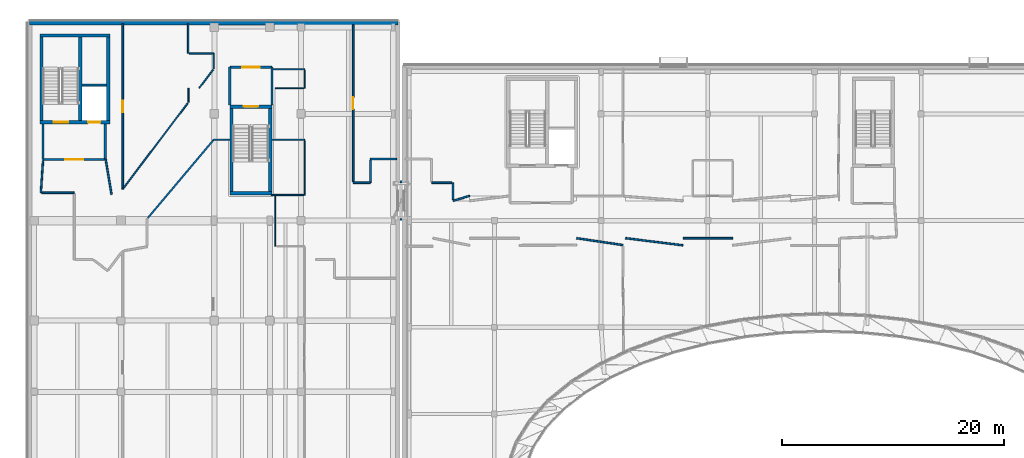
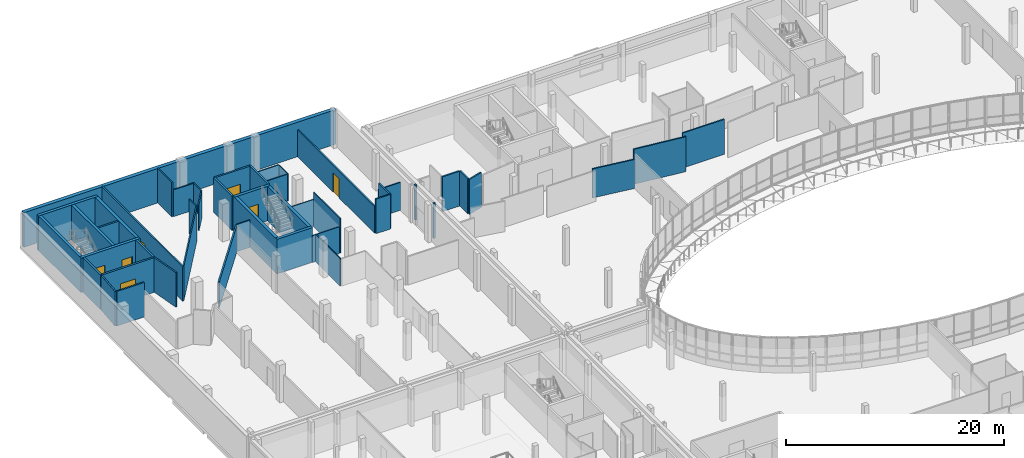
# One storey, part 51 of 84: 48 walls, 7 doors, 7 openings.
"""IFC4 building model written with IfcOpenShell, lengths in metres."""

from ifc_helpers import new_model, si_unit, direction, frame, frame_2d, origin, place, context, subcontext, project, spatial, rectangle, extrude, material, layer, layer_set, type_object, element, fill, save


model = new_model("IFC4")

# Units and contexts
model_context = context("Model", 3, precision=1e-05, world=origin(), true_north=direction((0.0, 1.0)))
body_context = subcontext(model_context, "Body", "Model", "MODEL_VIEW")
ifc_project = project(units=[si_unit("LENGTHUNIT", "METRE"), si_unit("AREAUNIT", "SQUARE_METRE"), si_unit("VOLUMEUNIT", "CUBIC_METRE"), si_unit("PLANEANGLEUNIT", "RADIAN"), si_unit("MASSUNIT", "GRAM", prefix="KILO")], contexts=[model_context])

# Site, building, storey
site_placement = place(None, origin())
site = spatial("IfcSite", under=ifc_project, at=site_placement, CompositionType="ELEMENT")
building_placement = place(site_placement, origin())
building = spatial("IfcBuilding", under=site, at=building_placement, Name="Mzevani Central Library", CompositionType="ELEMENT")
storey_placement = place(building_placement, frame((0.0, 0.0, 5.39990234375)))
storey = spatial("IfcBuildingStorey", under=building, at=storey_placement, Name="L01", CompositionType="ELEMENT", Elevation=5.39990234375)

# Walls
ifc_material_1 = material(Name="Concrete C35/45", Category="concrete")
ifc_layer_1 = layer(ifc_material_1, 0.199951171875, Name="Compartment Wall 200")
ifc_layer_set_1 = layer_set([ifc_layer_1], Name="Concrete C35/45")
wall_type_1 = type_object("IfcWallType", Name="Compartment Wall 200", PredefinedType="STANDARD", material=ifc_layer_set_1)
for number, where, z_axis, x_axis, name in (
    (1, (45.89990234375, 100.10009765625, 0.0), (0.0, 0.0, 1.0), (1.0, 0.0, 0.0), "L01 Stacks-Court Seismic Passage L01 Seismic Joint Enclosure Wall 1"),
    (2, (45.89990234375, 103.5, 0.0), (0.0, 0.0, 1.0), (1.0, 0.0, 0.0), "L01 Stacks-Court Seismic Passage L01 Seismic Joint Enclosure Wall 2"),
):
    element("IfcWall", number, at=place(storey_placement, frame(where, z_axis=z_axis, x_axis=x_axis)), inside=storey, type_object=wall_type_1, Name=name, PredefinedType="STANDARD", context=body_context, shape_type="SweptSolid", body=[
        extrude(rectangle(XDim=0.2001953125, YDim=0.199951171875, at=frame_2d((0.10009765625, 0.0))), origin(), (0.0, 0.0, 1.0), 3.940185546875),
    ])
wall_1_placement = place(storey_placement, frame((13.800048828125, 108.699951171875, 0.0), z_axis=(0.0, 0.0, 1.0), x_axis=(0.0, -1.0, 0.0)))
element("IfcWall", 3, at=wall_1_placement, inside=storey, type_object=wall_type_1, Name="L01 Firefighting Stair and Lift Lobby C2A Enclosure Wall 1", PredefinedType="STANDARD", context=body_context, shape_type="SweptSolid", body=[
    extrude(rectangle(XDim=3.199951171875, YDim=0.199951171875, at=frame_2d((1.60009765625, 0.0))), origin(), (0.0, 0.0, 1.0), 3.880126953125),
])

# Wall, opening, door
wall_2_placement = place(storey_placement, frame((13.800048828125, 105.5, 0.0), z_axis=(0.0, 0.0, 1.0), x_axis=(1.0, 0.0, 0.0)))
wall_2 = element("IfcWall", 4, at=wall_2_placement, inside=storey, type_object=wall_type_1, Name="L01 Firefighting Stair and Lift Lobby C2A Enclosure Wall 2", PredefinedType="STANDARD", context=body_context, shape_type="SweptSolid", body=[
    extrude(rectangle(XDim=5.599853515625, YDim=0.199951171875, at=frame_2d((2.7998046875, 0.0))), origin(), (0.0, 0.0, 1.0), 3.880126953125),
])
opening_1_placement = place(wall_2_placement, frame((2.0, 0.0, 0.0)))
opening_1 = element("IfcOpeningElement", 5, at=opening_1_placement, cuts=wall_2, Name="Opening FD-02", PredefinedType="OPENING", context=body_context, shape_type="SweptSolid", body=[
    extrude(rectangle(XDim=1.60009765625, YDim=2.199951171875, at=frame_2d((0.800048828125, 1.10009765625))), frame((0.0, 0.10986328125, 0.0), z_axis=(0.0, -1.0, 0.0), x_axis=(1.0, 0.0, 0.0)), (0.0, 0.0, 1.0), 0.219970703125),
])
ifc_material_2 = material(Name="Fire-rated steel door assembly", Category="steel")
door_type_1 = type_object("IfcDoorType", Name="Fire Lobby Double Door 1600x2200", OperationType="NOTDEFINED", PredefinedType="DOOR", material=ifc_material_2)
door_1_placement = place(opening_1_placement, origin())
door_1 = element("IfcDoor", 6, at=door_1_placement, inside=storey, type_object=door_type_1, Name="L01 Firefighting Stair and Lift Lobby C2A Smoke-Control Door", OperationType="DOUBLE_DOOR_SINGLE_SWING", OverallHeight=2.199951171875, OverallWidth=1.60009765625, PredefinedType="DOOR", context=body_context, shape_type="SweptSolid", body=[
    extrude(rectangle(XDim=1.60009765625, YDim=2.199951171875, at=frame_2d((0.800048828125, 1.10009765625))), frame((0.0, 0.02490234375, 0.0), z_axis=(0.0, -1.0, 0.0), x_axis=(1.0, 0.0, 0.0)), (0.0, 0.0, 1.0), 0.050048828125),
])
fill(opening_1, door_1)

# Walls
wall_3_placement = place(storey_placement, frame((19.39990234375, 105.5, 0.0), z_axis=(0.0, 0.0, 1.0), x_axis=(0.0, 1.0, 0.0)))
element("IfcWall", 7, at=wall_3_placement, inside=storey, type_object=wall_type_1, Name="L01 Firefighting Stair and Lift Lobby C2A Enclosure Wall 3", PredefinedType="STANDARD", context=body_context, shape_type="SweptSolid", body=[
    extrude(rectangle(XDim=3.199951171875, YDim=0.199951171875, at=frame_2d((1.60009765625, 0.0))), origin(), (0.0, 0.0, 1.0), 3.880126953125),
])
wall_4_placement = place(storey_placement, frame((30.60009765625, 110.39990234375, 0.0), z_axis=(0.0, 0.0, 1.0), x_axis=(0.0, 1.0, 0.0)))
element("IfcWall", 8, at=wall_4_placement, inside=storey, type_object=wall_type_1, Name="L01 Stair Vestibule C2B Enclosure Wall 1", PredefinedType="STANDARD", context=body_context, shape_type="SweptSolid", body=[
    extrude(rectangle(XDim=3.400146484375, YDim=0.199951171875, at=frame_2d((1.7001953125, 0.0))), origin(), (0.0, 0.0, 1.0), 3.880126953125),
])

# Wall, opening, door
wall_5_placement = place(storey_placement, frame((30.60009765625, 113.800048828125, 0.0), z_axis=(0.0, 0.0, 1.0), x_axis=(1.0, 0.0, 0.0)))
wall_5 = element("IfcWall", 9, at=wall_5_placement, inside=storey, type_object=wall_type_1, Name="L01 Stair Vestibule C2B Enclosure Wall 2", PredefinedType="STANDARD", context=body_context, shape_type="SweptSolid", body=[
    extrude(rectangle(XDim=3.7998046875, YDim=0.199951171875, at=frame_2d((1.89990234375, 0.0))), origin(), (0.0, 0.0, 1.0), 3.880126953125),
])
opening_2_placement = place(wall_5_placement, frame((1.10009765625, 0.0, 0.0)))
opening_2 = element("IfcOpeningElement", 10, at=opening_2_placement, cuts=wall_5, Name="Opening FD-02", PredefinedType="OPENING", context=body_context, shape_type="SweptSolid", body=[
    extrude(rectangle(XDim=1.60009765625, YDim=2.199951171875, at=frame_2d((0.800048828125, 1.10009765625))), frame((0.0, 0.10986328125, 0.0), z_axis=(0.0, -1.0, 0.0), x_axis=(1.0, 0.0, 0.0)), (0.0, 0.0, 1.0), 0.219970703125),
])
door_2_placement = place(opening_2_placement, origin())
door_2 = element("IfcDoor", 11, at=door_2_placement, inside=storey, type_object=door_type_1, Name="L01 Stair Vestibule C2B Smoke-Control Door", OperationType="DOUBLE_DOOR_SINGLE_SWING", OverallHeight=2.199951171875, OverallWidth=1.60009765625, PredefinedType="DOOR", context=body_context, shape_type="SweptSolid", body=[
    extrude(rectangle(XDim=1.60009765625, YDim=2.199951171875, at=frame_2d((0.800048828125, 1.10009765625))), frame((0.0, 0.02490234375, 0.0), z_axis=(0.0, -1.0, 0.0), x_axis=(1.0, 0.0, 0.0)), (0.0, 0.0, 1.0), 0.050048828125),
])
fill(opening_2, door_2)

# Wall
wall_6_placement = place(storey_placement, frame((34.39990234375, 113.800048828125, 0.0), z_axis=(0.0, 0.0, 1.0), x_axis=(0.0, -1.0, 0.0)))
element("IfcWall", 12, at=wall_6_placement, inside=storey, type_object=wall_type_1, Name="L01 Stair Vestibule C2B Enclosure Wall 3", PredefinedType="STANDARD", context=body_context, shape_type="SweptSolid", body=[
    extrude(rectangle(XDim=3.400146484375, YDim=0.199951171875, at=frame_2d((1.7001953125, 0.0))), origin(), (0.0, 0.0, 1.0), 3.880126953125),
])

# Wall, openings, doors
ifc_material_3 = material(Name="Concrete C40/50", Category="concrete")
ifc_layer_2 = layer(ifc_material_3, 0.300048828125, Name="Core Shear Wall 300")
ifc_layer_set_2 = layer_set([ifc_layer_2], Name="Concrete C40/50")
wall_type_2 = type_object("IfcWallType", Name="Core Shear Wall 300", PredefinedType="SHEAR", material=ifc_layer_set_2)
wall_7_placement = place(storey_placement, frame((19.800048828125, 108.85009765625, 0.0), z_axis=(0.0, 0.0, 1.0), x_axis=(-1.0, 0.0, 0.0)))
wall_7 = element("IfcWall", 13, at=wall_7_placement, inside=storey, type_object=wall_type_2, Name="L01 Core C2A North-West Firefighting Core Shear Wall (-y)", PredefinedType="SHEAR", context=body_context, shape_type="SweptSolid", body=[
    extrude(rectangle(XDim=6.300048828125, YDim=0.300048828125, at=frame_2d((3.14990234375, 0.0))), origin(), (0.0, 0.0, 1.0), 3.880126953125),
])
opening_3_placement = place(wall_7_placement, frame((3.75, 0.0, 0.0)))
opening_3 = element("IfcOpeningElement", 14, at=opening_3_placement, cuts=wall_7, Name="Opening FD-01", PredefinedType="OPENING", context=body_context, shape_type="SweptSolid", body=[
    extrude(rectangle(XDim=1.300048828125, YDim=2.199951171875, at=frame_2d((0.64990234375, 1.10009765625))), frame((0.0, 0.16015625, 0.0), z_axis=(0.0, -1.0, 0.0), x_axis=(1.0, 0.0, 0.0)), (0.0, 0.0, 1.0), 0.320068359375),
])
opening_4_placement = place(wall_7_placement, frame((0.85009765625, 0.0, 0.0)))
opening_4 = element("IfcOpeningElement", 15, at=opening_4_placement, cuts=wall_7, Name="Opening LD-02", PredefinedType="OPENING", context=body_context, shape_type="SweptSolid", body=[
    extrude(rectangle(XDim=1.10009765625, YDim=2.14990234375, at=frame_2d((0.550048828125, 1.074951171875))), frame((0.0, 0.16015625, 0.0), z_axis=(0.0, -1.0, 0.0), x_axis=(1.0, 0.0, 0.0)), (0.0, 0.0, 1.0), 0.320068359375),
])
door_type_2 = type_object("IfcDoorType", Name="Fire Stair Door 1300x2200", OperationType="NOTDEFINED", PredefinedType="DOOR", material=ifc_material_2)
door_3_placement = place(opening_3_placement, origin())
door_3 = element("IfcDoor", 16, at=door_3_placement, inside=storey, type_object=door_type_2, Name="L01 ST-03 Protected Exit Stair Door", OperationType="SINGLE_SWING_RIGHT", OverallHeight=2.199951171875, OverallWidth=1.300048828125, PredefinedType="DOOR", context=body_context, shape_type="SweptSolid", body=[
    extrude(rectangle(XDim=1.300048828125, YDim=2.199951171875, at=frame_2d((0.64990234375, 1.10009765625))), frame((0.0, 0.02490234375, 0.0), z_axis=(0.0, -1.0, 0.0), x_axis=(1.0, 0.0, 0.0)), (0.0, 0.0, 1.0), 0.050048828125),
])
fill(opening_3, door_3)
ifc_material_4 = material(Name="Brushed stainless steel door", Category="steel")
door_type_3 = type_object("IfcDoorType", Name="Firefighting Lift Landing Door 1100x2150", OperationType="NOTDEFINED", PredefinedType="DOOR", material=ifc_material_4)
door_4_placement = place(opening_4_placement, origin())
door_4 = element("IfcDoor", 17, at=door_4_placement, inside=storey, type_object=door_type_3, Name="L01 Lift LF-FF1 Sliding Landing Door", OperationType="SLIDING_TO_LEFT", OverallHeight=2.14990234375, OverallWidth=1.10009765625, PredefinedType="DOOR", context=body_context, shape_type="SweptSolid", body=[
    extrude(rectangle(XDim=1.10009765625, YDim=2.14990234375, at=frame_2d((0.550048828125, 1.074951171875))), frame((0.0, 0.02490234375, 0.0), z_axis=(0.0, -1.0, 0.0), x_axis=(1.0, 0.0, 0.0)), (0.0, 0.0, 1.0), 0.050048828125),
])
fill(opening_4, door_4)

# Walls
wall_8_placement = place(storey_placement, frame((13.64990234375, 108.699951171875, 0.0), z_axis=(0.0, 0.0, 1.0), x_axis=(0.0, 1.0, 0.0)))
element("IfcWall", 18, at=wall_8_placement, inside=storey, type_object=wall_type_2, Name="L01 Core C2A North-West Firefighting Core Shear Wall (-x)", PredefinedType="SHEAR", context=body_context, shape_type="SweptSolid", body=[
    extrude(rectangle(XDim=8.10009765625, YDim=0.300048828125, at=frame_2d((4.050048828125, 0.0))), origin(), (0.0, 0.0, 1.0), 3.880126953125),
])
wall_9_placement = place(storey_placement, frame((13.5, 116.64990234375, 0.0), z_axis=(0.0, 0.0, 1.0), x_axis=(1.0, 0.0, 0.0)))
element("IfcWall", 19, at=wall_9_placement, inside=storey, type_object=wall_type_2, Name="L01 Core C2A North-West Firefighting Core Shear Wall (+y)", PredefinedType="SHEAR", context=body_context, shape_type="SweptSolid", body=[
    extrude(rectangle(XDim=6.300048828125, YDim=0.300048828125, at=frame_2d((3.14990234375, 0.0))), origin(), (0.0, 0.0, 1.0), 3.880126953125),
])
wall_10_placement = place(storey_placement, frame((19.64990234375, 116.800048828125, 0.0), z_axis=(0.0, 0.0, 1.0), x_axis=(0.0, -1.0, 0.0)))
element("IfcWall", 20, at=wall_10_placement, inside=storey, type_object=wall_type_2, Name="L01 Core C2A North-West Firefighting Core Shear Wall (+x)", PredefinedType="SHEAR", context=body_context, shape_type="SweptSolid", body=[
    extrude(rectangle(XDim=8.10009765625, YDim=0.300048828125, at=frame_2d((4.050048828125, 0.0))), origin(), (0.0, 0.0, 1.0), 3.880126953125),
])
wall_11_placement = place(storey_placement, frame((17.14990234375, 108.85009765625, 0.0), z_axis=(0.0, 0.0, 1.0), x_axis=(0.0, 1.0, 0.0)))
element("IfcWall", 21, at=wall_11_placement, inside=storey, type_object=wall_type_2, Name="L01 Core C2A North-West Firefighting Core Hoistway Shear Wall", PredefinedType="SHEAR", context=body_context, shape_type="SweptSolid", body=[
    extrude(rectangle(XDim=7.7998046875, YDim=0.300048828125, at=frame_2d((3.89990234375, 0.0))), origin(), (0.0, 0.0, 1.0), 3.880126953125),
])
wall_12_placement = place(storey_placement, frame((34.39990234375, 102.449951171875, 0.0), z_axis=(0.0, 0.0, 1.0), x_axis=(-1.0, 0.0, 0.0)))
element("IfcWall", 22, at=wall_12_placement, inside=storey, type_object=wall_type_2, Name="L01 Core C2B Stacks East Escape Stair Shear Wall (-y)", PredefinedType="SHEAR", context=body_context, shape_type="SweptSolid", body=[
    extrude(rectangle(XDim=3.7998046875, YDim=0.300048828125, at=frame_2d((1.89990234375, 0.0))), origin(), (0.0, 0.0, 1.0), 3.880126953125),
])
wall_13_placement = place(storey_placement, frame((30.75, 102.300048828125, 0.0), z_axis=(0.0, 0.0, 1.0), x_axis=(0.0, 1.0, 0.0)))
element("IfcWall", 23, at=wall_13_placement, inside=storey, type_object=wall_type_2, Name="L01 Core C2B Stacks East Escape Stair Shear Wall (-x)", PredefinedType="SHEAR", context=body_context, shape_type="SweptSolid", body=[
    extrude(rectangle(XDim=8.099853515625, YDim=0.300048828125, at=frame_2d((4.0498046875, 0.0))), origin(), (0.0, 0.0, 1.0), 3.880126953125),
])

# Wall, opening, door
wall_14_placement = place(storey_placement, frame((30.60009765625, 110.25, 0.0), z_axis=(0.0, 0.0, 1.0), x_axis=(1.0, 0.0, 0.0)))
wall_14 = element("IfcWall", 24, at=wall_14_placement, inside=storey, type_object=wall_type_2, Name="L01 Core C2B Stacks East Escape Stair Shear Wall (+y)", PredefinedType="SHEAR", context=body_context, shape_type="SweptSolid", body=[
    extrude(rectangle(XDim=3.7998046875, YDim=0.300048828125, at=frame_2d((1.89990234375, 0.0))), origin(), (0.0, 0.0, 1.0), 3.880126953125),
])
opening_5_placement = place(wall_14_placement, frame((1.25, 0.0, 0.0)))
opening_5 = element("IfcOpeningElement", 25, at=opening_5_placement, cuts=wall_14, Name="Opening FD-01", PredefinedType="OPENING", context=body_context, shape_type="SweptSolid", body=[
    extrude(rectangle(XDim=1.300048828125, YDim=2.199951171875, at=frame_2d((0.64990234375, 1.10009765625))), frame((0.0, 0.16015625, 0.0), z_axis=(0.0, -1.0, 0.0), x_axis=(1.0, 0.0, 0.0)), (0.0, 0.0, 1.0), 0.320068359375),
])
door_5_placement = place(opening_5_placement, origin())
door_5 = element("IfcDoor", 26, at=door_5_placement, inside=storey, type_object=door_type_2, Name="L01 ST-04 Protected Exit Stair Door", OperationType="SINGLE_SWING_LEFT", OverallHeight=2.199951171875, OverallWidth=1.300048828125, PredefinedType="DOOR", context=body_context, shape_type="SweptSolid", body=[
    extrude(rectangle(XDim=1.300048828125, YDim=2.199951171875, at=frame_2d((0.64990234375, 1.10009765625))), frame((0.0, 0.02490234375, 0.0), z_axis=(0.0, -1.0, 0.0), x_axis=(1.0, 0.0, 0.0)), (0.0, 0.0, 1.0), 0.050048828125),
])
fill(opening_5, door_5)

# Walls
wall_15_placement = place(storey_placement, frame((34.25, 110.39990234375, 0.0), z_axis=(0.0, 0.0, 1.0), x_axis=(0.0, -1.0, 0.0)))
element("IfcWall", 27, at=wall_15_placement, inside=storey, type_object=wall_type_2, Name="L01 Core C2B Stacks East Escape Stair Shear Wall (+x)", PredefinedType="SHEAR", context=body_context, shape_type="SweptSolid", body=[
    extrude(rectangle(XDim=8.099853515625, YDim=0.300048828125, at=frame_2d((4.0498046875, 0.0))), origin(), (0.0, 0.0, 1.0), 3.880126953125),
])
ifc_material_5 = material(Name="Precast concrete C40/50", Category="concrete")
ifc_layer_3 = layer(ifc_material_5, 0.3798828125, Name="Exterior Thermal Concrete Wall 380")
ifc_layer_set_3 = layer_set([ifc_layer_3], Name="Precast concrete C40/50")
wall_type_3 = type_object("IfcWallType", Name="Exterior Thermal Concrete Wall 380", PredefinedType="STANDARD", material=ifc_layer_set_3)
wall_16_placement = place(storey_placement, frame((12.590087890625, 117.81005859375, 0.0), z_axis=(0.0, 0.0, 1.0), x_axis=(1.0, 0.0, 0.0)))
element("IfcWall", 28, at=wall_16_placement, inside=storey, type_object=wall_type_3, Name="L01 V2 Exterior Thermal Wall (22)", PredefinedType="STANDARD", context=body_context, shape_type="SweptSolid", body=[
    extrude(rectangle(XDim=33.119873046875, YDim=0.3798828125, at=frame_2d((16.56005859375, 0.0))), origin(), (0.0, 0.0, 1.0), 3.880126953125),
])
ifc_material_6 = material(Name="Fire-rated gypsum board", Category="gypsum")
ifc_layer_4 = layer(ifc_material_6, 0.1201171875, Name="Partition Acoustic 120")
ifc_layer_set_4 = layer_set([ifc_layer_4], Name="Fire-rated gypsum board")
wall_type_4 = type_object("IfcWallType", Name="Partition Acoustic 120", PredefinedType="PARTITIONING", material=ifc_layer_set_4)
wall_17_placement = place(storey_placement, frame((26.85009765625, 117.7099609375, 0.0), z_axis=(0.0, 0.0, 1.0), x_axis=(0.0, -1.0, 0.0)))
element("IfcWall", 29, at=wall_17_placement, inside=storey, type_object=wall_type_4, Name="L01 V2 Partition IW-02 (234)", PredefinedType="PARTITIONING", context=body_context, shape_type="SweptSolid", body=[
    extrude(rectangle(XDim=2.659912109375, YDim=0.1201171875, at=frame_2d((1.330078125, 0.0))), origin(), (0.0, 0.0, 1.0), 3.880126953125),
])
wall_18_placement = place(storey_placement, frame((26.949951171875, 115.050048828125, 0.0), z_axis=(0.0, 0.0, 1.0), x_axis=(1.0, 0.0, 0.0)))
element("IfcWall", 30, at=wall_18_placement, inside=storey, type_object=wall_type_4, Name="L01 V2 Partition IW-02 (235)", PredefinedType="PARTITIONING", context=body_context, shape_type="SweptSolid", body=[
    extrude(rectangle(XDim=2.199951171875, YDim=0.1201171875, at=frame_2d((1.10009765625, 0.0))), origin(), (0.0, 0.0, 1.0), 3.010009765625),
])
wall_19_placement = place(storey_placement, frame((29.14990234375, 115.050048828125, 0.0), z_axis=(0.0, 0.0, 1.0), x_axis=(0.0, -1.0, 0.0)))
element("IfcWall", 31, at=wall_19_placement, inside=storey, type_object=wall_type_4, Name="L01 V2 Partition IW-02 (236)", PredefinedType="PARTITIONING", context=body_context, shape_type="SweptSolid", body=[
    extrude(rectangle(XDim=1.39404296875, YDim=0.1201171875, at=frame_2d((0.697021484375, 0.0))), origin(), (0.0, 0.0, 1.0), 3.010009765625),
])
wall_20_placement = place(storey_placement, frame((29.089599609375, 113.576171875, 0.0), z_axis=(0.0, 0.0, 1.0), x_axis=(-0.603221736947, -0.7975735302, 0.0)))
element("IfcWall", 32, at=wall_20_placement, inside=storey, type_object=wall_type_4, Name="L01 V2 Partition IW-02 (237)", PredefinedType="PARTITIONING", context=body_context, shape_type="SweptSolid", body=[
    extrude(rectangle(XDim=2.070068359375, YDim=0.1201171875, at=frame_2d((1.03515625, 0.0))), origin(), (0.0, 0.0, 1.0), 3.010009765625),
])
wall_21_placement = place(storey_placement, frame((26.875, 111.925048828125, 0.0), z_axis=(0.0, 0.0, 1.0), x_axis=(0.0, -1.0, 0.0)))
element("IfcWall", 33, at=wall_21_placement, inside=storey, type_object=wall_type_4, Name="L01 V2 Partition IW-02 (238)", PredefinedType="PARTITIONING", context=body_context, shape_type="SweptSolid", body=[
    extrude(rectangle(XDim=1.27685546875, YDim=0.1201171875, at=frame_2d((0.638427734375, 0.0))), origin(), (0.0, 0.0, 1.0), 3.880126953125),
])
wall_22_placement = place(storey_placement, frame((26.814697265625, 110.568359375, 0.0), z_axis=(0.0, 0.0, 1.0), x_axis=(-0.603259469492, -0.797544990874, 0.0)))
element("IfcWall", 34, at=wall_22_placement, inside=storey, type_object=wall_type_4, Name="L01 V2 Partition IW-02 (239)", PredefinedType="PARTITIONING", context=body_context, shape_type="SweptSolid", body=[
    extrude(rectangle(XDim=9.5966796875, YDim=0.1201171875, at=frame_2d((4.79833984375, 0.0))), origin(), (0.0, 0.0, 1.0), 3.880126953125),
])
ifc_layer_5 = layer(ifc_material_6, 0.10009765625, Name="Partition Gypsum 100")
ifc_layer_set_5 = layer_set([ifc_layer_5], Name="Fire-rated gypsum board")
wall_type_5 = type_object("IfcWallType", Name="Partition Gypsum 100", PredefinedType="PARTITIONING", material=ifc_layer_set_5)
wall_23_placement = place(storey_placement, frame((34.5, 113.6201171875, 0.0), z_axis=(0.0, 0.0, 1.0), x_axis=(1.0, 0.0, 0.0)))
element("IfcWall", 35, at=wall_23_placement, inside=storey, type_object=wall_type_5, Name="L01 V2 Partition IW-01 (240)", PredefinedType="PARTITIONING", context=body_context, shape_type="SweptSolid", body=[
    extrude(rectangle(XDim=2.8349609375, YDim=0.10009765625, at=frame_2d((1.41748046875, 0.0))), origin(), (0.0, 0.0, 1.0), 3.06005859375),
])
wall_24_placement = place(storey_placement, frame((37.3349609375, 113.52001953125, 0.0), z_axis=(0.0, 0.0, 1.0), x_axis=(0.0, -1.0, 0.0)))
element("IfcWall", 36, at=wall_24_placement, inside=storey, type_object=wall_type_5, Name="L01 V2 Partition IW-01 (241)", PredefinedType="PARTITIONING", context=body_context, shape_type="SweptSolid", body=[
    extrude(rectangle(XDim=1.594970703125, YDim=0.10009765625, at=frame_2d((0.79736328125, 0.0))), origin(), (0.0, 0.0, 1.0), 3.06005859375),
])
wall_25_placement = place(storey_placement, frame((37.235107421875, 111.925048828125, 0.0), z_axis=(0.0, 0.0, 1.0), x_axis=(-1.0, 0.0, 0.0)))
element("IfcWall", 37, at=wall_25_placement, inside=storey, type_object=wall_type_5, Name="L01 V2 Partition IW-01 (242)", PredefinedType="PARTITIONING", context=body_context, shape_type="SweptSolid", body=[
    extrude(rectangle(XDim=2.56005859375, YDim=0.10009765625, at=frame_2d((1.280029296875, 0.0))), origin(), (0.0, 0.0, 1.0), 3.06005859375),
])
wall_26_placement = place(storey_placement, frame((34.39990234375, 107.27490234375, 0.0), z_axis=(0.0, 0.0, 1.0), x_axis=(1.0, 0.0, 0.0)))
element("IfcWall", 38, at=wall_26_placement, inside=storey, type_object=wall_type_5, Name="L01 V2 Partition IW-01 (243)", PredefinedType="PARTITIONING", context=body_context, shape_type="SweptSolid", body=[
    extrude(rectangle(XDim=2.93505859375, YDim=0.10009765625, at=frame_2d((1.467529296875, 0.0))), origin(), (0.0, 0.0, 1.0), 3.010009765625),
])
wall_27_placement = place(storey_placement, frame((37.3349609375, 107.175048828125, 0.0), z_axis=(0.0, 0.0, 1.0), x_axis=(0.0, -1.0, 0.0)))
element("IfcWall", 39, at=wall_27_placement, inside=storey, type_object=wall_type_5, Name="L01 V2 Partition IW-01 (244)", PredefinedType="PARTITIONING", context=body_context, shape_type="SweptSolid", body=[
    extrude(rectangle(XDim=4.875, YDim=0.10009765625, at=frame_2d((2.4375, 0.0))), origin(), (0.0, 0.0, 1.0), 3.880126953125),
])
wall_28_placement = place(storey_placement, frame((37.235107421875, 102.300048828125, 0.0), z_axis=(0.0, 0.0, 1.0), x_axis=(-1.0, 0.0, 0.0)))
element("IfcWall", 40, at=wall_28_placement, inside=storey, type_object=wall_type_5, Name="L01 V2 Partition IW-01 (245)", PredefinedType="PARTITIONING", context=body_context, shape_type="SweptSolid", body=[
    extrude(rectangle(XDim=2.91015625, YDim=0.10009765625, at=frame_2d((1.455078125, 0.0))), origin(), (0.0, 0.0, 1.0), 3.010009765625),
])
wall_29_placement = place(storey_placement, frame((34.699951171875, 102.199951171875, 0.0), z_axis=(0.0, 0.0, 1.0), x_axis=(0.0, -1.0, 0.0)))
element("IfcWall", 41, at=wall_29_placement, inside=storey, type_object=wall_type_5, Name="L01 V2 Partition IW-01 (246)", PredefinedType="PARTITIONING", context=body_context, shape_type="SweptSolid", body=[
    extrude(rectangle(XDim=4.5, YDim=0.10009765625, at=frame_2d((2.25, 0.0))), origin(), (0.0, 0.0, 1.0), 3.110107421875),
])
wall_30_placement = place(storey_placement, frame((29.14990234375, 107.27490234375, 0.0), z_axis=(0.0, 0.0, 1.0), x_axis=(1.0, 0.0, 0.0)))
element("IfcWall", 42, at=wall_30_placement, inside=storey, type_object=wall_type_5, Name="L01 V2 Partition IW-01 (249)", PredefinedType="PARTITIONING", context=body_context, shape_type="SweptSolid", body=[
    extrude(rectangle(XDim=1.4501953125, YDim=0.10009765625, at=frame_2d((0.72509765625, 0.0))), origin(), (0.0, 0.0, 1.0), 3.06005859375),
])

# Wall, opening, door
ifc_layer_6 = layer(ifc_material_6, 0.14990234375, Name="Partition Study 150")
ifc_layer_set_6 = layer_set([ifc_layer_6], Name="Fire-rated gypsum board")
wall_type_6 = type_object("IfcWallType", Name="Partition Study 150", PredefinedType="PARTITIONING", material=ifc_layer_set_6)
wall_31_placement = place(storey_placement, frame((20.965087890625, 117.7099609375, 0.0), z_axis=(0.0, 0.0, 1.0), x_axis=(0.0, -1.0, 0.0)))
wall_31 = element("IfcWall", 43, at=wall_31_placement, inside=storey, type_object=wall_type_6, Name="L01 V2 Partition IW-03 (221)", PredefinedType="PARTITIONING", context=body_context, shape_type="SweptSolid", body=[
    extrude(rectangle(XDim=14.875244140625, YDim=0.14990234375, at=frame_2d((7.4375, 0.0))), origin(), (0.0, 0.0, 1.0), 3.880126953125),
])
opening_6_placement = place(wall_31_placement, frame((6.91259765625, 0.0, 0.0)))
opening_6 = element("IfcOpeningElement", 44, at=opening_6_placement, cuts=wall_31, Name="Opening ID-05", PredefinedType="OPENING", context=body_context, shape_type="SweptSolid", body=[
    extrude(rectangle(XDim=1.050048828125, YDim=2.14990234375, at=frame_2d((0.52490234375, 1.074951171875))), frame((0.0, 0.0849609375, 0.0), z_axis=(0.0, -1.0, 0.0), x_axis=(1.0, 0.0, 0.0)), (0.0, 0.0, 1.0), 0.169921875),
])
ifc_material_7 = material(Name="Fire-rated solid oak leaf")
door_type_4 = type_object("IfcDoorType", Name="Conservation Lab Door 1050x2150", OperationType="NOTDEFINED", PredefinedType="DOOR", material=ifc_material_7)
door_6_placement = place(opening_6_placement, origin())
door_6 = element("IfcDoor", 45, at=door_6_placement, inside=storey, type_object=door_type_4, Name="L01 Bindery and Book Repair Studio Door", OperationType="SINGLE_SWING_RIGHT", OverallHeight=2.14990234375, OverallWidth=1.050048828125, PredefinedType="DOOR", context=body_context, shape_type="SweptSolid", body=[
    extrude(rectangle(XDim=1.050048828125, YDim=2.14990234375, at=frame_2d((0.52490234375, 1.074951171875))), frame((0.0, 0.02490234375, 0.0), z_axis=(0.0, -1.0, 0.0), x_axis=(1.0, 0.0, 0.0)), (0.0, 0.0, 1.0), 0.050048828125),
])
fill(opening_6, door_6)

# Walls
wall_32_placement = place(storey_placement, frame((19.9599609375, 102.35009765625, 0.0), z_axis=(0.0, 0.0, 1.0), x_axis=(-0.165860827568, 0.986149170196, 0.0)))
element("IfcWall", 46, at=wall_32_placement, inside=storey, type_object=wall_type_6, Name="L01 V2 Partition IW-03 (222)", PredefinedType="PARTITIONING", context=body_context, shape_type="SweptSolid", body=[
    extrude(rectangle(XDim=3.276611328125, YDim=0.14990234375, at=frame_2d((1.63818359375, 0.0))), origin(), (0.0, 0.0, 1.0), 3.880126953125),
])
wall_33_placement = place(storey_placement, frame((13.793212890625, 105.400146484375, 0.0), z_axis=(0.0, 0.0, 1.0), x_axis=(-0.066440960793, -0.997790358106, 0.0)))
element("IfcWall", 47, at=wall_33_placement, inside=storey, type_object=wall_type_6, Name="L01 V2 Partition IW-03 (223)", PredefinedType="PARTITIONING", context=body_context, shape_type="SweptSolid", body=[
    extrude(rectangle(XDim=2.906494140625, YDim=0.14990234375, at=frame_2d((1.453125, 0.0))), origin(), (0.0, 0.0, 1.0), 3.880126953125),
])
wall_34_placement = place(storey_placement, frame((13.699951171875, 102.5, 0.0), z_axis=(0.0, 0.0, 1.0), x_axis=(1.0, 0.0, 0.0)))
element("IfcWall", 48, at=wall_34_placement, inside=storey, type_object=wall_type_6, Name="L01 V2 Partition IW-03 (224)", PredefinedType="PARTITIONING", context=body_context, shape_type="SweptSolid", body=[
    extrude(rectangle(XDim=2.900146484375, YDim=0.14990234375, at=frame_2d((1.4501953125, 0.0))), origin(), (0.0, 0.0, 1.0), 3.880126953125),
])
wall_35_placement = place(storey_placement, frame((23.21435546875, 100.22998046875, 0.0), z_axis=(0.0, 0.0, 1.0), x_axis=(0.644325065347, 0.764751731065, 0.0)))
element("IfcWall", 49, at=wall_35_placement, inside=storey, type_object=wall_type_6, Name="L01 V2 Partition IW-03 (232)", PredefinedType="PARTITIONING", context=body_context, shape_type="SweptSolid", body=[
    extrude(rectangle(XDim=9.212158203125, YDim=0.14990234375, at=frame_2d((4.60595703125, 0.0))), origin(), (0.0, 0.0, 1.0), 2.960205078125),
])
wall_36_placement = place(storey_placement, frame((45.610107421875, 105.550048828125, 0.0), z_axis=(0.0, 0.0, 1.0), x_axis=(-1.0, 0.0, 0.0)))
element("IfcWall", 50, at=wall_36_placement, inside=storey, type_object=wall_type_6, Name="L01 V2 Partition IW-03 (253)", PredefinedType="PARTITIONING", context=body_context, shape_type="SweptSolid", body=[
    extrude(rectangle(XDim=2.360107421875, YDim=0.14990234375, at=frame_2d((1.18017578125, 0.0))), origin(), (0.0, 0.0, 1.0), 3.110107421875),
])
wall_37_placement = place(storey_placement, frame((43.25, 105.449951171875, 0.0), z_axis=(0.0, 0.0, 1.0), x_axis=(0.0, -1.0, 0.0)))
element("IfcWall", 51, at=wall_37_placement, inside=storey, type_object=wall_type_6, Name="L01 V2 Partition IW-03 (254)", PredefinedType="PARTITIONING", context=body_context, shape_type="SweptSolid", body=[
    extrude(rectangle(XDim=2.050048828125, YDim=0.14990234375, at=frame_2d((1.02490234375, 0.0))), origin(), (0.0, 0.0, 1.0), 3.880126953125),
])
wall_38_placement = place(storey_placement, frame((43.25, 103.39990234375, 0.0), z_axis=(0.0, 0.0, 1.0), x_axis=(-1.0, 0.0, 0.0)))
element("IfcWall", 52, at=wall_38_placement, inside=storey, type_object=wall_type_6, Name="L01 V2 Partition IW-03 (255)", PredefinedType="PARTITIONING", context=body_context, shape_type="SweptSolid", body=[
    extrude(rectangle(XDim=1.550048828125, YDim=0.14990234375, at=frame_2d((0.77490234375, 0.0))), origin(), (0.0, 0.0, 1.0), 3.880126953125),
])

# Wall, opening, door
wall_39_placement = place(storey_placement, frame((41.699951171875, 103.5, 0.0), z_axis=(0.0, 0.0, 1.0), x_axis=(0.0, 1.0, 0.0)))
wall_39 = element("IfcWall", 53, at=wall_39_placement, inside=storey, type_object=wall_type_6, Name="L01 V2 Partition IW-03 (256)", PredefinedType="PARTITIONING", context=body_context, shape_type="SweptSolid", body=[
    extrude(rectangle(XDim=14.1201171875, YDim=0.14990234375, at=frame_2d((7.06005859375, 0.0))), origin(), (0.0, 0.0, 1.0), 3.010009765625),
])
opening_7_placement = place(wall_39_placement, frame((6.510009765625, 0.0, 0.0)))
opening_7 = element("IfcOpeningElement", 54, at=opening_7_placement, cuts=wall_39, Name="Opening FD-04", PredefinedType="OPENING", context=body_context, shape_type="SweptSolid", body=[
    extrude(rectangle(XDim=1.10009765625, YDim=2.14990234375, at=frame_2d((0.550048828125, 1.074951171875))), frame((0.0, 0.0849609375, 0.0), z_axis=(0.0, -1.0, 0.0), x_axis=(1.0, 0.0, 0.0)), (0.0, 0.0, 1.0), 0.169921875),
])
door_type_5 = type_object("IfcDoorType", Name="Fire Compartment Door 1100x2150", OperationType="NOTDEFINED", PredefinedType="DOOR", material=ifc_material_2)
door_7_placement = place(opening_7_placement, origin())
door_7 = element("IfcDoor", 55, at=door_7_placement, inside=storey, type_object=door_type_5, Name="L01 Mobile Compact Shelving Hall L01 East 3 Door", OperationType="SINGLE_SWING_LEFT", OverallHeight=2.14990234375, OverallWidth=1.10009765625, PredefinedType="DOOR", context=body_context, shape_type="SweptSolid", body=[
    extrude(rectangle(XDim=1.10009765625, YDim=2.14990234375, at=frame_2d((0.550048828125, 1.074951171875))), frame((0.0, 0.02490234375, 0.0), z_axis=(0.0, -1.0, 0.0), x_axis=(1.0, 0.0, 0.0)), (0.0, 0.0, 1.0), 0.050048828125),
])
fill(opening_7, door_7)

# Walls
wall_40_placement = place(storey_placement, frame((61.800048828125, 98.419921875, 0.0), z_axis=(0.0, 0.0, 1.0), x_axis=(0.989105809441, -0.147206310092, 0.0)))
element("IfcWall", 56, at=wall_40_placement, inside=storey, type_object=wall_type_6, Name="L01 V3 Partition IW-03 (265)", PredefinedType="PARTITIONING", context=body_context, shape_type="SweptSolid", body=[
    extrude(rectangle(XDim=4.2109375, YDim=0.14990234375, at=frame_2d((2.10546875, 0.0))), origin(), (0.0, 0.0, 1.0), 3.25),
])
wall_41_placement = place(storey_placement, frame((52.175048828125, 102.22509765625, 0.0), z_axis=(0.0, 0.0, 1.0), x_axis=(-0.958435776409, -0.285308363879, 0.0)))
element("IfcWall", 57, at=wall_41_placement, inside=storey, type_object=wall_type_6, Name="L01 V3 Partition IW-03 (268)", PredefinedType="PARTITIONING", context=body_context, shape_type="SweptSolid", body=[
    extrude(rectangle(XDim=1.56005859375, YDim=0.14990234375, at=frame_2d((0.780029296875, 0.0))), origin(), (0.0, 0.0, 1.0), 3.920166015625),
])
wall_42_placement = place(storey_placement, frame((50.679931640625, 101.8798828125, 0.0), z_axis=(0.0, 0.0, 1.0), x_axis=(0.0, 1.0, 0.0)))
element("IfcWall", 58, at=wall_42_placement, inside=storey, type_object=wall_type_6, Name="L01 V3 Partition IW-03 (269)", PredefinedType="PARTITIONING", context=body_context, shape_type="SweptSolid", body=[
    extrude(rectangle(XDim=1.52001953125, YDim=0.14990234375, at=frame_2d((0.760009765625, 0.0))), origin(), (0.0, 0.0, 1.0), 3.920166015625),
])
wall_43_placement = place(storey_placement, frame((50.580078125, 103.39990234375, 0.0), z_axis=(0.0, 0.0, 1.0), x_axis=(-1.0, 0.0, 0.0)))
element("IfcWall", 59, at=wall_43_placement, inside=storey, type_object=wall_type_6, Name="L01 V3 Partition IW-03 (270)", PredefinedType="PARTITIONING", context=body_context, shape_type="SweptSolid", body=[
    extrude(rectangle(XDim=1.830078125, YDim=0.14990234375, at=frame_2d((0.9150390625, 0.0))), origin(), (0.0, 0.0, 1.0), 3.920166015625),
])
wall_44_placement = place(storey_placement, frame((66.199951171875, 98.419921875, 0.0), z_axis=(0.0, 0.0, 1.0), x_axis=(0.992321747846, -0.123683259792, 0.0)))
element("IfcWall", 60, at=wall_44_placement, inside=storey, type_object=wall_type_6, Name="L01 V3 Partition IW-03 (279)", PredefinedType="PARTITIONING", context=body_context, shape_type="SweptSolid", body=[
    extrude(rectangle(XDim=5.215087890625, YDim=0.14990234375, at=frame_2d((2.607421875, 0.0))), origin(), (0.0, 0.0, 1.0), 3.920166015625),
])
wall_45_placement = place(storey_placement, frame((71.375, 98.419921875, 0.0), z_axis=(0.0, 0.0, 1.0), x_axis=(1.0, 0.0, 0.0)))
element("IfcWall", 61, at=wall_45_placement, inside=storey, type_object=wall_type_6, Name="L01 V3 Partition IW-03 (280)", PredefinedType="PARTITIONING", context=body_context, shape_type="SweptSolid", body=[
    extrude(rectangle(XDim=4.449951171875, YDim=0.14990234375, at=frame_2d((2.22509765625, 0.0))), origin(), (0.0, 0.0, 1.0), 3.920166015625),
])
ifc_material_8 = material(Name="Concrete blockwork masonry", Category="masonry")
ifc_layer_7 = layer(ifc_material_8, 0.179931640625, Name="Shaft Enclosure Wall 180")
ifc_layer_set_7 = layer_set([ifc_layer_7], Name="Concrete blockwork masonry")
wall_type_7 = type_object("IfcWallType", Name="Shaft Enclosure Wall 180", PredefinedType="PARTITIONING", material=ifc_layer_set_7)
wall_46_placement = place(storey_placement, frame((17.300048828125, 112.18994140625, 0.0), z_axis=(0.0, 0.0, 1.0), x_axis=(1.0, 0.0, 0.0)))
element("IfcWall", 62, at=wall_46_placement, inside=storey, type_object=wall_type_7, Name="L01 Lift LF-FF1 Hoistway Enclosure Wall", PredefinedType="PARTITIONING", context=body_context, shape_type="SweptSolid", body=[
    extrude(rectangle(XDim=2.199951171875, YDim=0.179931640625, at=frame_2d((1.10009765625, 0.0))), origin(), (0.0, 0.0, 1.0), 3.880126953125),
])

save(model, "model.ifc")
